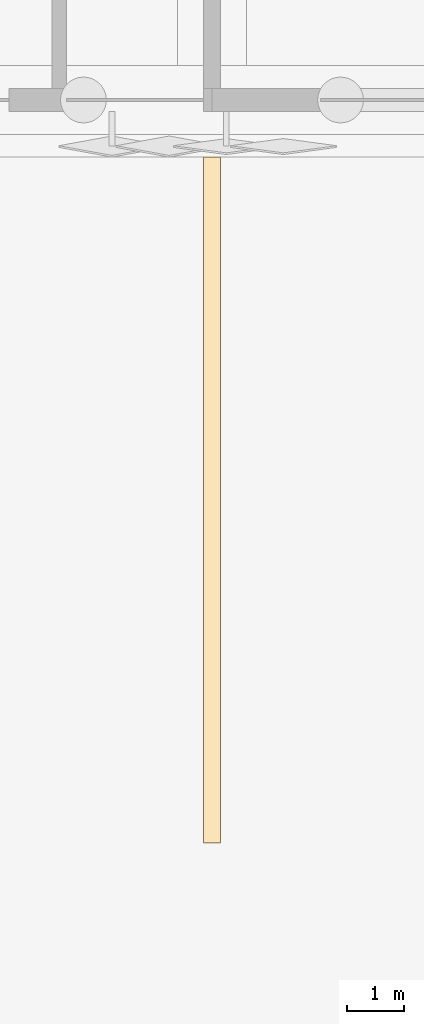
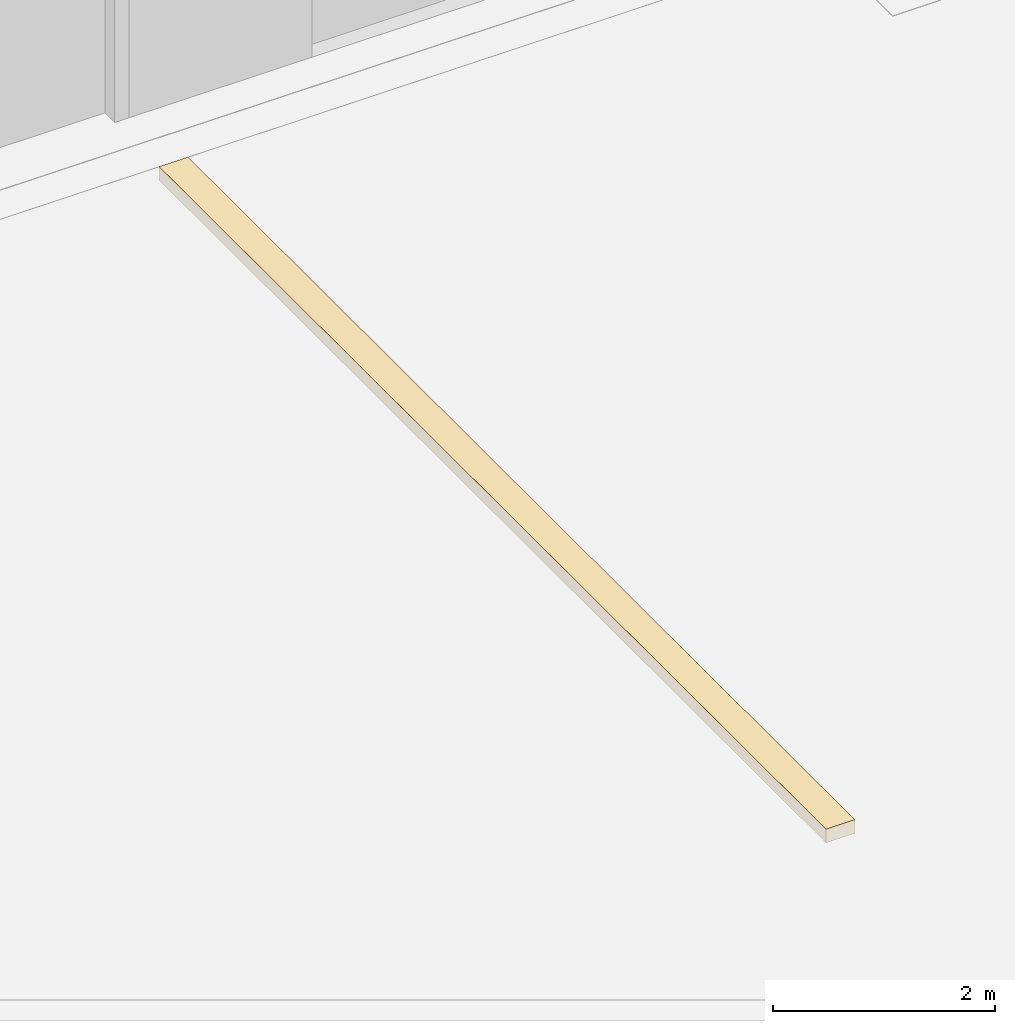
# One storey, part 158 of 198: 1 covering.
"""IFC4 building model written with IfcOpenShell, lengths in metres."""

from ifc_helpers import new_model, si_unit, direction, frame, origin, place, context, subcontext, project, spatial, polyline, outline, extrude, material, layer, layer_set, type_object, element, save


model = new_model("IFC4")

# Units and contexts
model_context = context("Model", 3, precision=1e-05, world=origin(), true_north=direction((0.0, 1.0)))
body_context = subcontext(model_context, "Body", "Model", "MODEL_VIEW")
ifc_project = project(units=[si_unit("LENGTHUNIT", "METRE"), si_unit("AREAUNIT", "SQUARE_METRE"), si_unit("VOLUMEUNIT", "CUBIC_METRE"), si_unit("PLANEANGLEUNIT", "RADIAN"), si_unit("MASSUNIT", "GRAM", prefix="KILO")], contexts=[model_context])

# Site, building, storey
site_placement = place(None, origin())
site = spatial("IfcSite", under=ifc_project, at=site_placement, CompositionType="ELEMENT")
building_placement = place(site_placement, origin())
building = spatial("IfcBuilding", under=site, at=building_placement, Name="Opaline Strait Convention Centre", CompositionType="ELEMENT")
storey_placement = place(building_placement, origin())
storey = spatial("IfcBuildingStorey", under=building, at=storey_placement, Name="L00", CompositionType="ELEMENT", Elevation=0.0)

# Covering
ifc_material = material(Name="Road marking paint on concrete", Category="concrete")
ifc_layer = layer(ifc_material, 0.14990234375)
ifc_layer_set = layer_set([ifc_layer], Name="Road marking paint on concrete")
covering_type = type_object("IfcCoveringType", Name="Yard marking strip 150", PredefinedType="FLOORING", material=ifc_layer_set)
covering_placement = place(storey_placement, frame((0.0, 0.0, -0.14990234375)))
element("IfcCovering", 1, at=covering_placement, inside=storey, type_object=covering_type, Name="Truck bay line 10 surfacing", PredefinedType="FLOORING", context=body_context, shape_type="SweptSolid", body=[
    extrude(outline(polyline([(179.85009765625, 53.0), (179.85009765625, 41.0), (180.14990234375, 41.0), (180.14990234375, 53.0), (179.85009765625, 53.0)])), origin(), (0.0, 0.0, 1.0), 0.14990234375),
])

save(model, "model.ifc")
